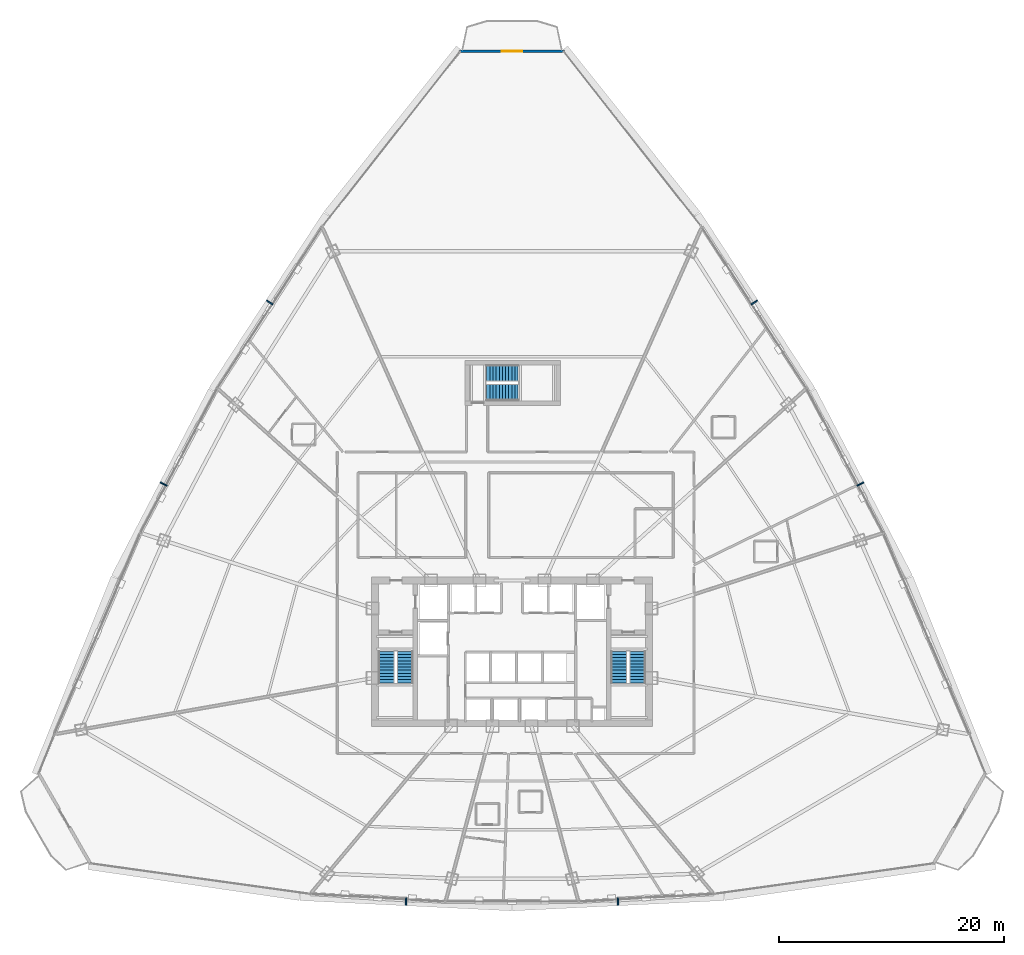
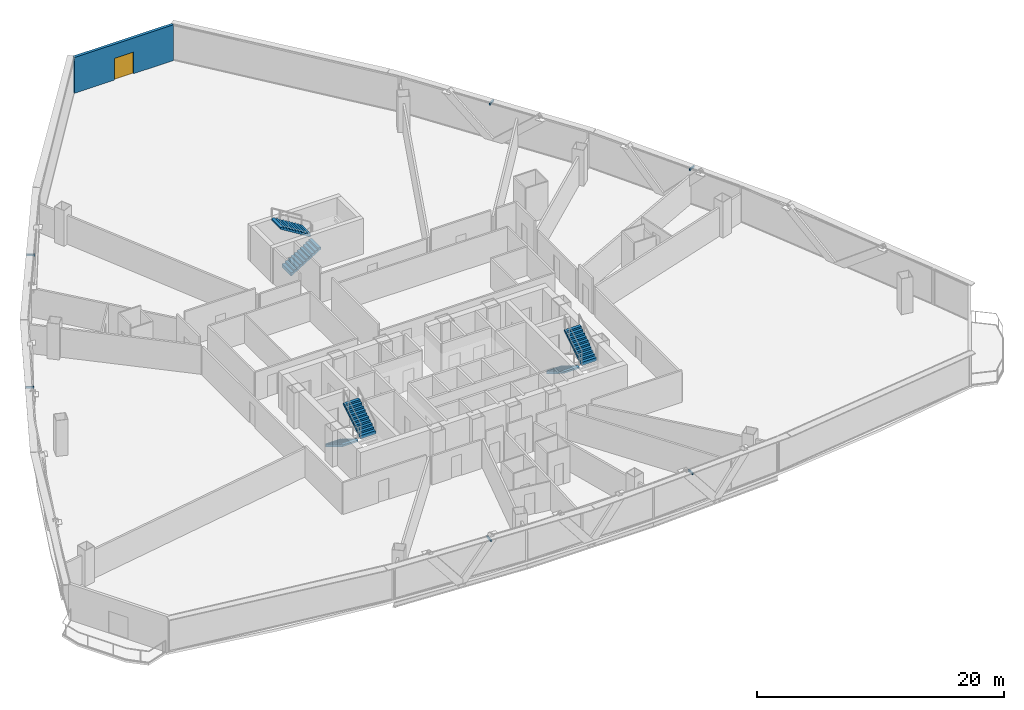
# One storey, part 33 of 37: 6 discrete accessories, 6 stair flights, 1 door, 1 wall, 1 opening, 3 elements without a shape of their own.
"""IFC4 building model written with IfcOpenShell, lengths in metres."""

from ifc_helpers import new_model, si_unit, direction, frame, frame_2d, origin, origin_with_axes, origin_2d, place, context, subcontext, project, spatial, polyline, rectangle, outline, extrude, source, transform, mapped, material, layer, layer_set, type_object, element, fill, aggregate, save


model = new_model("IFC4")

# Units and contexts
model_context = context("Model", 3, precision=1e-05, world=origin(), true_north=direction((0.0, 1.0)))
body_context = subcontext(model_context, "Body", "Model", "MODEL_VIEW")
ifc_project = project(units=[si_unit("LENGTHUNIT", "METRE"), si_unit("AREAUNIT", "SQUARE_METRE"), si_unit("VOLUMEUNIT", "CUBIC_METRE"), si_unit("PLANEANGLEUNIT", "RADIAN"), si_unit("MASSUNIT", "GRAM", prefix="KILO"), si_unit("THERMODYNAMICTEMPERATUREUNIT", "KELVIN"), si_unit("POWERUNIT", "WATT")], contexts=[model_context])

# Site, building, storey
site_placement = place(None, origin())
site = spatial("IfcSite", under=ifc_project, at=site_placement, CompositionType="ELEMENT")
building_placement = place(site_placement, origin())
building = spatial("IfcBuilding", under=site, at=building_placement, Name="Yunzhuo Pagoda Commons", CompositionType="ELEMENT")
storey_placement = place(building_placement, frame((0.0, 0.0, 88.780029296875)))
storey = spatial("IfcBuildingStorey", under=building, at=storey_placement, Name="L22", CompositionType="ELEMENT", Elevation=88.780029296875)

# Wall, opening, door
ifc_material_1 = material(Name="Precast concrete C40", Category="concrete")
ifc_layer = layer(ifc_material_1, 0.260009765625)
ifc_layer_set = layer_set([ifc_layer], Name="Precast concrete C40")
wall_type = type_object("IfcWallType", Name="W-BAL1 Corner Balcony Threshold Wall 260", PredefinedType="STANDARD", material=ifc_layer_set)
wall_placement = place(storey_placement, frame((52.652587890625, 87.320068359375, 0.0), z_axis=(0.0, 0.0, 1.0), x_axis=(-1.0, 0.0, 0.0)))
wall = element("IfcWall", 1, at=wall_placement, inside=storey, type_object=wall_type, Name="L22 corner balcony wall V3", PredefinedType="STANDARD", context=body_context, shape_type="SweptSolid", body=[
    extrude(rectangle(XDim=9.30517578125, YDim=0.260009765625, at=frame_2d((4.652587890625, 0.0))), origin(), (0.0, 0.0, 1.0), 3.5400390625),
])
opening_placement = place(wall_placement, frame((3.752685546875, 0.0, 0.0)))
opening = element("IfcOpeningElement", 2, at=opening_placement, cuts=wall, Name="Opening D-BAL1", PredefinedType="OPENING", context=body_context, shape_type="SweptSolid", body=[
    extrude(rectangle(XDim=1.800048828125, YDim=2.14990234375, at=frame_2d((0.89990234375, 1.074951171875))), frame((0.0, 0.14013671875, 0.0), z_axis=(0.0, -1.0, 0.0), x_axis=(1.0, 0.0, 0.0)), (0.0, 0.0, 1.0), 0.280029296875),
])
ifc_material_2 = material(Name="Anodized aluminium frame and tempered glazed leaf", Category="aluminium")
door_type = type_object("IfcDoorType", Name="D-BAL1 Corner Balcony Sliding Glazed Door 1800x2150", OperationType="DOUBLE_DOOR_SLIDING", PredefinedType="DOOR", material=ifc_material_2)
shared_shape_1 = source(origin(), body_context, "Body", "SweptSolid", [
    extrude(rectangle(XDim=1.800048828125, YDim=2.14990234375, at=frame_2d((0.89990234375, 1.074951171875))), frame((0.0, 0.02490234375, 0.0), z_axis=(0.0, -1.0, 0.0), x_axis=(1.0, 0.0, 0.0)), (0.0, 0.0, 1.0), 0.050048828125),
])
door_placement = place(opening_placement, origin_with_axes())
door = element("IfcDoor", 3, at=door_placement, inside=storey, type_object=door_type, Name="L22 corner balcony sliding door V3", OperationType="DOUBLE_DOOR_SLIDING", OverallHeight=2.14990234375, OverallWidth=1.800048828125, PredefinedType="DOOR", context=body_context, shape_type="MappedRepresentation", body=[
    mapped(shared_shape_1, transform((0.0, 0.0, 0.0), scale=1.0)),
])
fill(opening, door)

# Stair, stair flights
ifc_material_3 = material(Name="Concrete C40", Category="concrete")
stair_type_1 = type_object("IfcStairType", Name="ST-C1 Core Smokeproof Stair ST1", PredefinedType="HALF_TURN_STAIR", material=ifc_material_3)
stair_1_placement = place(storey_placement, origin())
stair_1 = element("IfcStair", 4, at=stair_1_placement, inside=storey, type_object=stair_type_1, Name="L22 Core smokeproof stair ST1", PredefinedType="HALF_TURN_STAIR")
stair_flight_type_1 = type_object("IfcStairFlightType", Name="STF-C1 Core Stair Flight 1450", PredefinedType="STRAIGHT", material=ifc_material_3)
shared_shape_2 = source(origin(), body_context, "Body", "SweptSolid", [
    extrude(outline(polyline([(0.0, -0.14990234375), (0.0, 0.0), (0.0, 0.172607421875), (0.280029296875, 0.172607421875), (0.280029296875, 0.345458984375), (0.56005859375, 0.345458984375), (0.56005859375, 0.51806640625), (0.840087890625, 0.51806640625), (0.840087890625, 0.69091796875), (1.1201171875, 0.69091796875), (1.1201171875, 0.863525390625), (1.39990234375, 0.863525390625), (1.39990234375, 1.036376953125), (1.679931640625, 1.036376953125), (1.679931640625, 1.208984375), (1.9599609375, 1.208984375), (1.9599609375, 1.3818359375), (2.239990234375, 1.3818359375), (2.239990234375, 1.554443359375), (2.52001953125, 1.554443359375), (2.52001953125, 1.727294921875), (2.800048828125, 1.727294921875), (2.800048828125, 1.89990234375), (2.800048828125, 1.551025390625), (0.285400390625, 0.0), (0.050048828125, -0.14990234375), (0.0, -0.14990234375)])), frame((0.0, 0.72509765625, 0.0), z_axis=(0.0, -1.0, 0.0), x_axis=(1.0, 0.0, 0.0)), (0.0, 0.0, 1.0), 1.449951171875),
])
stair_flight_1_placement = place(storey_placement, frame((36.824951171875, 33.89990234375, 0.0), z_axis=(0.0, 0.0, 1.0), x_axis=(0.0, -1.0, 0.0)))
stair_flight_1 = element("IfcStairFlight", 5, at=stair_flight_1_placement, type_object=stair_flight_type_1, Name="ST1 flight 1", NumberOfRisers=11, NumberOfTreads=10, PredefinedType="STRAIGHT", RiserHeight=0.172727273, TreadLength=0.28, context=body_context, shape_type="MappedRepresentation", body=[
    mapped(shared_shape_2, transform((0.0, 0.0, 0.0), scale=1.0)),
])
stair_flight_2_placement = place(storey_placement, frame((38.47509765625, 31.10009765625, 1.89990234375), z_axis=(0.0, 0.0, 1.0), x_axis=(0.0, 1.0, 0.0)))
stair_flight_2 = element("IfcStairFlight", 6, at=stair_flight_2_placement, type_object=stair_flight_type_1, Name="ST1 flight 2", NumberOfRisers=11, NumberOfTreads=10, PredefinedType="STRAIGHT", RiserHeight=0.172727273, TreadLength=0.28, context=body_context, shape_type="MappedRepresentation", body=[
    mapped(shared_shape_2, transform((0.0, 0.0, 0.0), scale=1.0)),
])
aggregate(stair_1, [stair_flight_1, stair_flight_2])

stair_type_2 = type_object("IfcStairType", Name="ST-C2 Core Smokeproof Stair ST2", PredefinedType="HALF_TURN_STAIR", material=ifc_material_3)
stair_2_placement = place(storey_placement, origin())
stair_2 = element("IfcStair", 7, at=stair_2_placement, inside=storey, type_object=stair_type_2, Name="L22 Core smokeproof stair ST2", PredefinedType="HALF_TURN_STAIR")
stair_flight_type_2 = type_object("IfcStairFlightType", Name="STF-C2 Core Stair Flight 1460", PredefinedType="STRAIGHT", material=ifc_material_3)
stair_flight_3_placement = place(storey_placement, frame((57.52490234375, 33.89990234375, 0.0), z_axis=(0.0, 0.0, 1.0), x_axis=(0.0, -1.0, 0.0)))
stair_flight_3 = element("IfcStairFlight", 8, at=stair_flight_3_placement, type_object=stair_flight_type_2, Name="ST2 flight 1", NumberOfRisers=11, NumberOfTreads=10, PredefinedType="STRAIGHT", RiserHeight=0.172727273, TreadLength=0.28, context=body_context, shape_type="MappedRepresentation", body=[
    mapped(shared_shape_2, transform((0.0, 0.0, 0.0), scale=1.0)),
])
stair_flight_4_placement = place(storey_placement, frame((59.175048828125, 31.10009765625, 1.89990234375), z_axis=(0.0, 0.0, 1.0), x_axis=(0.0, 1.0, 0.0)))
stair_flight_4 = element("IfcStairFlight", 9, at=stair_flight_4_placement, type_object=stair_flight_type_2, Name="ST2 flight 2", NumberOfRisers=11, NumberOfTreads=10, PredefinedType="STRAIGHT", RiserHeight=0.172727273, TreadLength=0.28, context=body_context, shape_type="MappedRepresentation", body=[
    mapped(shared_shape_2, transform((0.0, 0.0, 0.0), scale=1.0)),
])
aggregate(stair_2, [stair_flight_3, stair_flight_4])

stair_type_3 = type_object("IfcStairType", Name="ST-C3 North Tower Smokeproof Stair ST3", PredefinedType="HALF_TURN_STAIR", material=ifc_material_3)
stair_3_placement = place(storey_placement, origin())
stair_3 = element("IfcStair", 10, at=stair_3_placement, inside=storey, type_object=stair_type_3, Name="L22 North tower smokeproof stair ST3", PredefinedType="HALF_TURN_STAIR")
stair_flight_type_3 = type_object("IfcStairFlightType", Name="STF-C3 North Stair Flight 1500", PredefinedType="STRAIGHT", material=ifc_material_3)
shared_shape_3 = source(origin(), body_context, "Body", "SweptSolid", [
    extrude(outline(polyline([(0.0, -0.14990234375), (0.0, 0.0), (0.0, 0.172607421875), (0.280029296875, 0.172607421875), (0.280029296875, 0.345458984375), (0.56005859375, 0.345458984375), (0.56005859375, 0.51806640625), (0.840087890625, 0.51806640625), (0.840087890625, 0.69091796875), (1.1201171875, 0.69091796875), (1.1201171875, 0.863525390625), (1.39990234375, 0.863525390625), (1.39990234375, 1.036376953125), (1.679931640625, 1.036376953125), (1.679931640625, 1.208984375), (1.9599609375, 1.208984375), (1.9599609375, 1.3818359375), (2.239990234375, 1.3818359375), (2.239990234375, 1.554443359375), (2.52001953125, 1.554443359375), (2.52001953125, 1.727294921875), (2.800048828125, 1.727294921875), (2.800048828125, 1.89990234375), (2.800048828125, 1.551025390625), (0.285400390625, 0.0), (0.050048828125, -0.14990234375), (0.0, -0.14990234375)])), frame((0.0, 0.75, 0.0), z_axis=(0.0, -1.0, 0.0), x_axis=(1.0, 0.0, 0.0)), (0.0, 0.0, 1.0), 1.5),
])
stair_flight_5_placement = place(storey_placement, frame((45.75, 56.949951171875, 0.0), z_axis=(0.0, 0.0, 1.0), x_axis=(1.0, 0.0, 0.0)))
stair_flight_5 = element("IfcStairFlight", 11, at=stair_flight_5_placement, type_object=stair_flight_type_3, Name="ST3 flight 1", NumberOfRisers=11, NumberOfTreads=10, PredefinedType="STRAIGHT", RiserHeight=0.172727273, TreadLength=0.28, context=body_context, shape_type="MappedRepresentation", body=[
    mapped(shared_shape_3, transform((0.0, 0.0, 0.0), scale=1.0)),
])
stair_flight_6_placement = place(storey_placement, frame((48.550048828125, 58.64990234375, 1.89990234375), z_axis=(0.0, 0.0, 1.0), x_axis=(-1.0, 0.0, 0.0)))
stair_flight_6 = element("IfcStairFlight", 12, at=stair_flight_6_placement, type_object=stair_flight_type_3, Name="ST3 flight 2", NumberOfRisers=11, NumberOfTreads=10, PredefinedType="STRAIGHT", RiserHeight=0.172727273, TreadLength=0.28, context=body_context, shape_type="MappedRepresentation", body=[
    mapped(shared_shape_3, transform((0.0, 0.0, 0.0), scale=1.0)),
])
aggregate(stair_3, [stair_flight_5, stair_flight_6])

# Discrete accessories
ifc_material_4 = material(Name="Anodized aluminium 6063-T6", Category="aluminium")
discrete_accessory_type = type_object("IfcDiscreteAccessoryType", Name="BK-SUN1 Sunshade Outrigger Bracket", PredefinedType="BRACKET", material=ifc_material_4)
shared_shape_4 = source(origin(), body_context, "Body", "SweptSolid", [
    extrude(rectangle(XDim=0.1201171875, YDim=0.679931640625, at=origin_2d()), origin(), (0.0, 0.0, 1.0), 0.179931640625),
])
for number, where, z_axis, x_axis, name in (
    (13, (38.56591796875, 11.61865234375, 3.330078125), (0.0, 0.0, 1.0), (0.998818043775, -0.04860571396, 0.0), "L22 sunshade outrigger bracket F1.2"),
    (14, (57.43408203125, 11.61865234375, 3.330078125), (0.0, 0.0, 1.0), (0.998818043775, 0.04860571396, 0.0), "L22 sunshade outrigger bracket F1.3"),
    (15, (79.01318359375, 48.79833984375, 3.330078125), (0.0, 0.0, 1.0), (-0.461206683033, 0.88729273384, 0.0), "L22 sunshade outrigger bracket F2.2"),
    (16, (69.5791015625, 64.960205078125, 3.330078125), (0.0, 0.0, 1.0), (-0.545838756973, 0.837890238269, 0.0), "L22 sunshade outrigger bracket F2.3"),
    (17, (26.4208984375, 64.960205078125, 3.330078125), (0.0, 0.0, 1.0), (-0.545838756973, -0.837890238269, 0.0), "L22 sunshade outrigger bracket F3.2"),
    (18, (16.98681640625, 48.79833984375, 3.330078125), (0.0, 0.0, 1.0), (-0.461206683033, -0.88729273384, 0.0), "L22 sunshade outrigger bracket F3.3"),
):
    element("IfcDiscreteAccessory", number, at=place(storey_placement, frame(where, z_axis=z_axis, x_axis=x_axis)), inside=storey, type_object=discrete_accessory_type, Name=name, PredefinedType="BRACKET", context=body_context, shape_type="MappedRepresentation", body=[
        mapped(shared_shape_4, transform((0.0, 0.0, 0.0), scale=1.0)),
    ])

save(model, "model.ifc")
